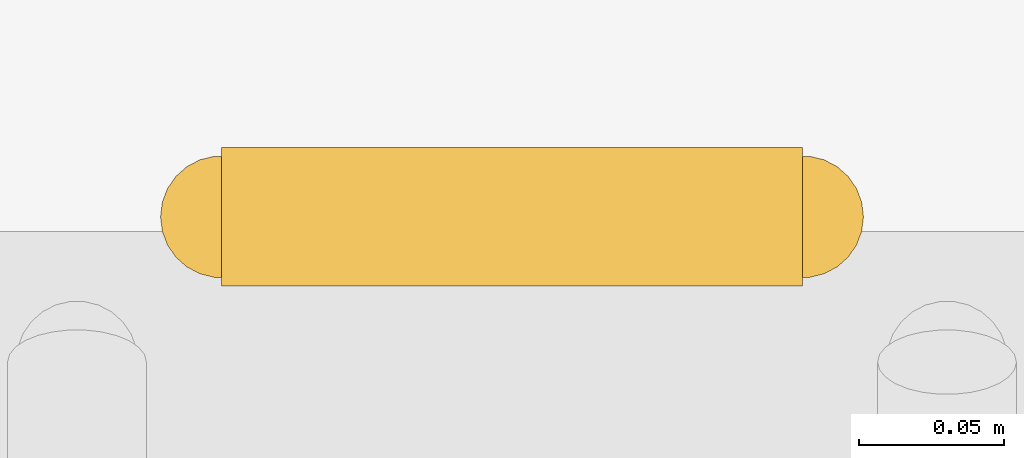
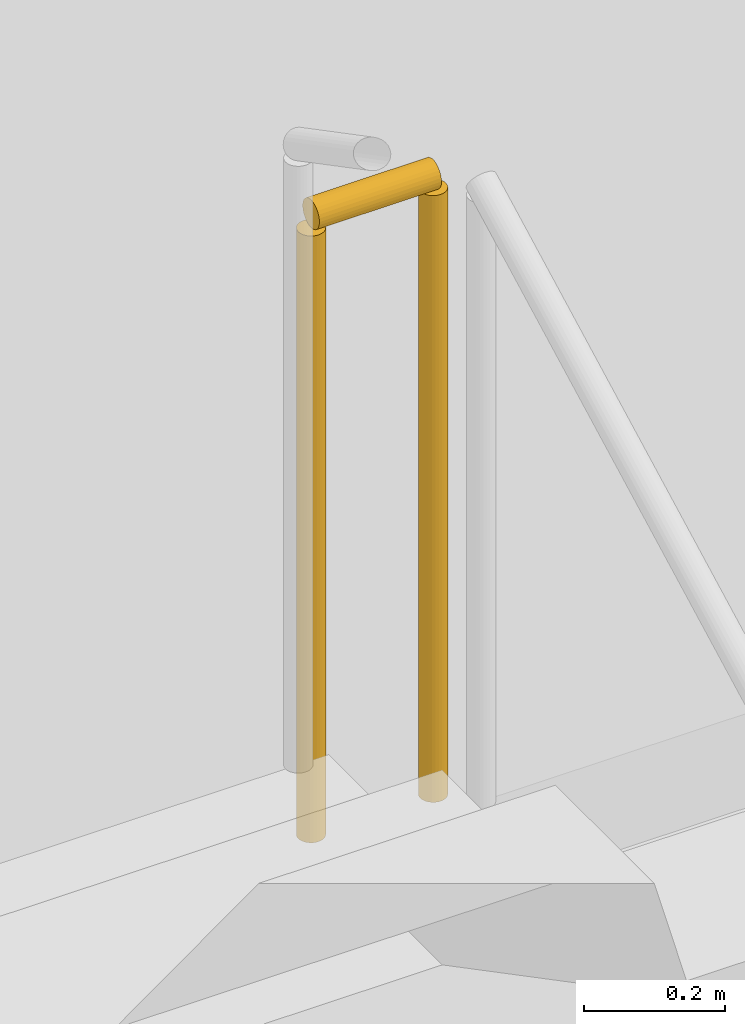
# One storey, part 74 of 78: 1 railing.
"""IFC4 building model written with IfcOpenShell, lengths in metres."""

from ifc_helpers import new_model, si_unit, direction, frame, origin, origin_2d, place, context, subcontext, project, spatial, circle, extrude, material, type_object, element, save


model = new_model("IFC4")

# Units and contexts
model_context = context("Model", 3, precision=1e-05, world=origin(), true_north=direction((0.0, 1.0)))
body_context = subcontext(model_context, "Body", "Model", "MODEL_VIEW")
ifc_project = project(units=[si_unit("LENGTHUNIT", "METRE"), si_unit("AREAUNIT", "SQUARE_METRE"), si_unit("VOLUMEUNIT", "CUBIC_METRE"), si_unit("PLANEANGLEUNIT", "RADIAN"), si_unit("MASSUNIT", "GRAM", prefix="KILO")], contexts=[model_context])

# Site, building, storey
site_placement = place(None, origin())
site = spatial("IfcSite", under=ifc_project, at=site_placement, CompositionType="ELEMENT")
building_placement = place(site_placement, origin())
building = spatial("IfcBuilding", under=site, at=building_placement, Name="Sefraquen Railside Congress Hotel", CompositionType="ELEMENT")
storey_placement = place(building_placement, frame((0.0, 0.0, 6.0)))
storey = spatial("IfcBuildingStorey", under=building, at=storey_placement, Name="L01", CompositionType="ELEMENT", Elevation=6.0)

# Railing
ifc_material = material(Name="Patinated wrought architectural bronze", Category="metal")
railing_type = type_object("IfcRailingType", Name="TRL-BAL-110", PredefinedType="BALUSTRADE", material=ifc_material)
railing_placement = place(storey_placement, frame((67.080078125, 104.360107421875, 2.699951171875)))
element("IfcRailing", 1, at=railing_placement, inside=storey, type_object=railing_type, Name="L01 ST-H03 stair guard 2", PredefinedType="BALUSTRADE", context=body_context, shape_type="SweptSolid", body=[
    extrude(circle(Radius=0.02392578125, at=origin_2d()), frame((0.0, 0.0, 1.076171875), z_axis=(-1.0, 0.0, 0.0), x_axis=(0.0, -1.0, 0.0)), (0.0, 0.0, 1.0), 0.2001953125),
    extrude(circle(Radius=0.02099609375, at=origin_2d()), origin(), (0.0, 0.0, 1.0), 1.052001953125),
    extrude(circle(Radius=0.02099609375, at=origin_2d()), frame((-0.2001953125, 0.0, 0.0)), (0.0, 0.0, 1.0), 1.052001953125),
])

save(model, "model.ifc")
